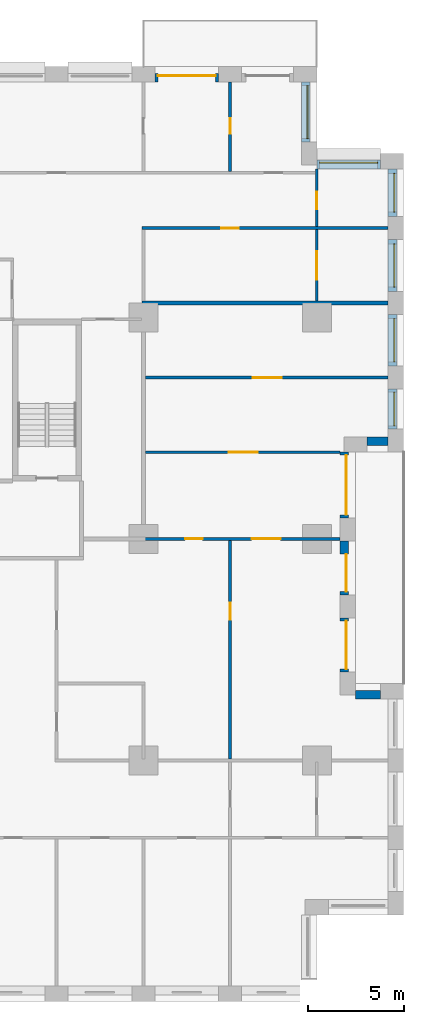
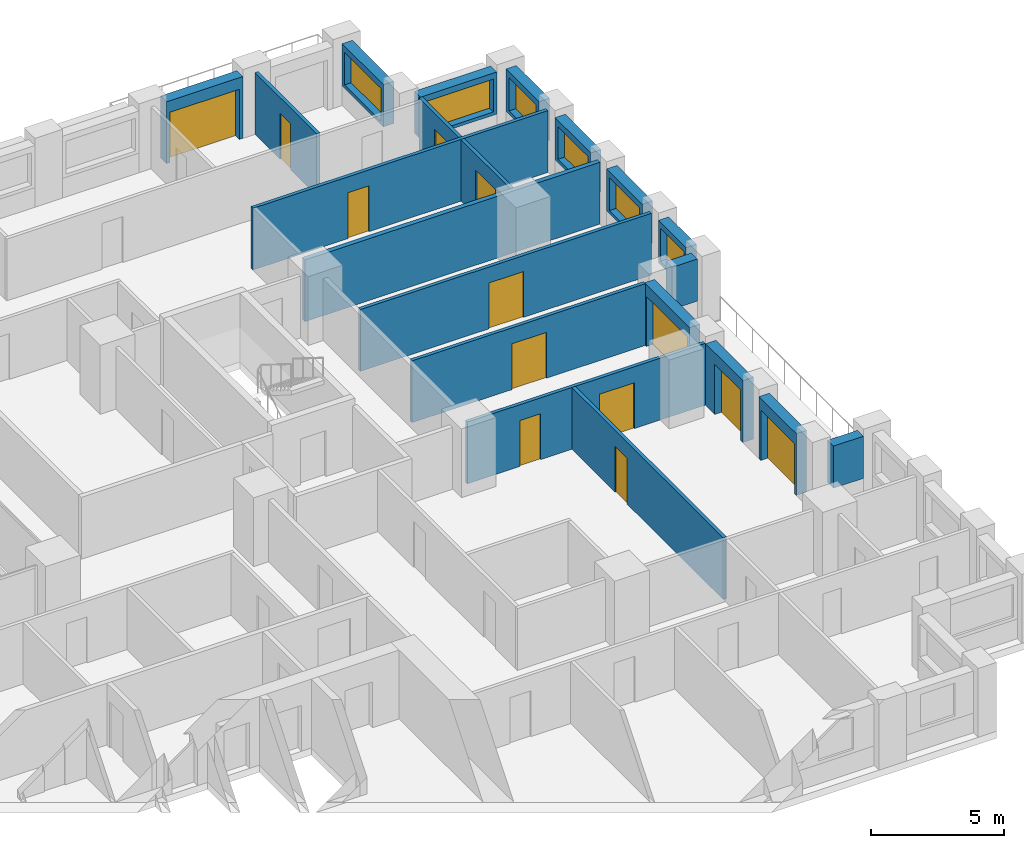
# One storey, part 17 of 20: 21 walls, 13 doors, 6 windows, 19 openings.
"""IFC4 building model written with IfcOpenShell, lengths in metres."""

from ifc_helpers import new_model, si_unit, direction, frame, frame_2d, origin, place, context, subcontext, project, spatial, rectangle, extrude, material, layer, layer_set, type_object, element, fill, save


model = new_model("IFC4")

# Units and contexts
model_context = context("Model", 3, precision=1e-05, world=origin(), true_north=direction((0.0, 1.0)))
body_context = subcontext(model_context, "Body", "Model", "MODEL_VIEW")
ifc_project = project(units=[si_unit("LENGTHUNIT", "METRE"), si_unit("AREAUNIT", "SQUARE_METRE"), si_unit("VOLUMEUNIT", "CUBIC_METRE"), si_unit("PLANEANGLEUNIT", "RADIAN"), si_unit("MASSUNIT", "GRAM", prefix="KILO")], contexts=[model_context])

# Site, building, storey
site_placement = place(None, origin())
site = spatial("IfcSite", under=ifc_project, at=site_placement, CompositionType="ELEMENT")
building_placement = place(site_placement, origin())
building = spatial("IfcBuilding", under=site, at=building_placement, Name="Brigalow Station Residences", CompositionType="ELEMENT")
storey_placement = place(building_placement, frame((0.0, 0.0, 63.60009765625)))
storey = spatial("IfcBuildingStorey", under=building, at=storey_placement, Name="L18", CompositionType="ELEMENT", Elevation=63.60009765625)

# Wall
ifc_material_1 = material(Name="Clay brick masonry", Category="masonry")
ifc_layer_1 = layer(ifc_material_1, 0.449951171875)
ifc_layer_set_1 = layer_set([ifc_layer_1], Name="BRICK INFILL WALL 450")
wall_type_1 = type_object("IfcWallType", Name="BRICK INFILL WALL 450", PredefinedType="SOLIDWALL", material=ifc_layer_set_1)
wall_1_placement = place(storey_placement, frame((75.300048828125, 15.925048828125, 0.89990234375), z_axis=(0.0, 0.0, 1.0), x_axis=(-1.0, 0.0, 0.0)))
element("IfcWall", 1, at=wall_1_placement, inside=storey, type_object=wall_type_1, Name="L18/ewall/W-L18-14", PredefinedType="SOLIDWALL", context=body_context, shape_type="SweptSolid", body=[
    extrude(rectangle(XDim=1.300048828125, YDim=0.449951171875, at=frame_2d((0.64990234375, 0.0))), origin(), (0.0, 0.0, 1.0), 1.929931640625),
])

# Wall, opening, door
wall_2_placement = place(storey_placement, frame((73.425048828125, 17.10009765625, 0.0), z_axis=(0.0, 0.0, 1.0), x_axis=(0.0, 1.0, 0.0)))
wall_2 = element("IfcWall", 2, at=wall_2_placement, inside=storey, type_object=wall_type_1, Name="L18/ewall/W-L18-15", PredefinedType="SOLIDWALL", context=body_context, shape_type="SweptSolid", body=[
    extrude(rectangle(XDim=2.7998046875, YDim=0.449951171875, at=frame_2d((1.39990234375, 0.0))), origin(), (0.0, 0.0, 1.0), 2.829833984375),
])
opening_1_placement = place(wall_2_placement, frame((0.14990234375, 0.0, 0.0)))
opening_1 = element("IfcOpeningElement", 3, at=opening_1_placement, cuts=wall_2, Name="Opening D-B2500", PredefinedType="OPENING", context=body_context, shape_type="SweptSolid", body=[
    extrude(rectangle(XDim=2.5, YDim=2.300048828125, at=frame_2d((1.25, 1.14990234375))), frame((0.0, 0.23486328125, 0.0), z_axis=(0.0, -1.0, 0.0), x_axis=(1.0, 0.0, 0.0)), (0.0, 0.0, 1.0), 0.469970703125),
])
ifc_material_2 = material(Name="Anodised aluminium frame with double glazing", Category="aluminium")
door_type_1 = type_object("IfcDoorType", Name="BALCONY SLIDING DOOR 2500x2300", OperationType="SLIDING_TO_LEFT", PredefinedType="DOOR", material=ifc_material_2)
door_1_placement = place(opening_1_placement, origin())
door_1 = element("IfcDoor", 4, at=door_1_placement, inside=storey, type_object=door_type_1, Name="L18/balcony-door/W-L18-15", OperationType="SLIDING_TO_LEFT", OverallHeight=2.300048828125, OverallWidth=2.5, PredefinedType="DOOR", context=body_context, shape_type="SweptSolid", body=[
    extrude(rectangle(XDim=2.5, YDim=2.300048828125, at=frame_2d((1.25, 1.14990234375))), frame((0.0, -0.06982421875, 0.0), z_axis=(0.0, -1.0, 0.0), x_axis=(1.0, 0.0, 0.0)), (0.0, 0.0, 1.0), 0.050048828125),
])
fill(opening_1, door_1)

wall_3_placement = place(storey_placement, frame((73.425048828125, 21.10009765625, 0.0), z_axis=(0.0, 0.0, 1.0), x_axis=(0.0, 1.0, 0.0)))
wall_3 = element("IfcWall", 5, at=wall_3_placement, inside=storey, type_object=wall_type_1, Name="L18/ewall/W-L18-16", PredefinedType="SOLIDWALL", context=body_context, shape_type="SweptSolid", body=[
    extrude(rectangle(XDim=2.7998046875, YDim=0.449951171875, at=frame_2d((1.39990234375, 0.0))), origin(), (0.0, 0.0, 1.0), 2.829833984375),
])
opening_2_placement = place(wall_3_placement, frame((0.1650390625, 0.0, 0.0)))
opening_2 = element("IfcOpeningElement", 6, at=opening_2_placement, cuts=wall_3, Name="Opening D-B1950", PredefinedType="OPENING", context=body_context, shape_type="SweptSolid", body=[
    extrude(rectangle(XDim=1.949951171875, YDim=2.300048828125, at=frame_2d((0.97509765625, 1.14990234375))), frame((0.0, 0.23486328125, 0.0), z_axis=(0.0, -1.0, 0.0), x_axis=(1.0, 0.0, 0.0)), (0.0, 0.0, 1.0), 0.469970703125),
])
ifc_material_3 = material(Name="Anodised aluminium frame with double glazing", Category="aluminium")
door_type_2 = type_object("IfcDoorType", Name="BALCONY SLIDING DOOR 1950x2300", OperationType="SLIDING_TO_LEFT", PredefinedType="DOOR", material=ifc_material_3)
door_2_placement = place(opening_2_placement, origin())
door_2 = element("IfcDoor", 7, at=door_2_placement, inside=storey, type_object=door_type_2, Name="L18/balcony-door/W-L18-16", OperationType="SLIDING_TO_LEFT", OverallHeight=2.300048828125, OverallWidth=1.949951171875, PredefinedType="DOOR", context=body_context, shape_type="SweptSolid", body=[
    extrude(rectangle(XDim=1.949951171875, YDim=2.300048828125, at=frame_2d((0.97509765625, 1.14990234375))), frame((0.0, -0.06982421875, 0.0), z_axis=(0.0, -1.0, 0.0), x_axis=(1.0, 0.0, 0.0)), (0.0, 0.0, 1.0), 0.050048828125),
])
fill(opening_2, door_2)

wall_4_placement = place(storey_placement, frame((73.425048828125, 25.10009765625, 0.0), z_axis=(0.0, 0.0, 1.0), x_axis=(0.0, 1.0, 0.0)))
wall_4 = element("IfcWall", 8, at=wall_4_placement, inside=storey, type_object=wall_type_1, Name="L18/ewall/W-L18-17", PredefinedType="SOLIDWALL", context=body_context, shape_type="SweptSolid", body=[
    extrude(rectangle(XDim=3.39990234375, YDim=0.449951171875, at=frame_2d((1.699951171875, 0.0))), origin(), (0.0, 0.0, 1.0), 2.829833984375),
])
opening_3_placement = place(wall_4_placement, frame((0.14990234375, 0.0, 0.0)))
opening_3 = element("IfcOpeningElement", 9, at=opening_3_placement, cuts=wall_4, Name="Opening D-B3100", PredefinedType="OPENING", context=body_context, shape_type="SweptSolid", body=[
    extrude(rectangle(XDim=3.10009765625, YDim=2.300048828125, at=frame_2d((1.550048828125, 1.14990234375))), frame((0.0, 0.23486328125, 0.0), z_axis=(0.0, -1.0, 0.0), x_axis=(1.0, 0.0, 0.0)), (0.0, 0.0, 1.0), 0.469970703125),
])
ifc_material_4 = material(Name="Anodised aluminium frame with double glazing", Category="aluminium")
door_type_3 = type_object("IfcDoorType", Name="BALCONY SLIDING DOOR 3100x2300", OperationType="SLIDING_TO_LEFT", PredefinedType="DOOR", material=ifc_material_4)
door_3_placement = place(opening_3_placement, origin())
door_3 = element("IfcDoor", 10, at=door_3_placement, inside=storey, type_object=door_type_3, Name="L18/balcony-door/W-L18-17", OperationType="SLIDING_TO_LEFT", OverallHeight=2.300048828125, OverallWidth=3.10009765625, PredefinedType="DOOR", context=body_context, shape_type="SweptSolid", body=[
    extrude(rectangle(XDim=3.10009765625, YDim=2.300048828125, at=frame_2d((1.550048828125, 1.14990234375))), frame((0.0, -0.06982421875, 0.0), z_axis=(0.0, -1.0, 0.0), x_axis=(1.0, 0.0, 0.0)), (0.0, 0.0, 1.0), 0.050048828125),
])
fill(opening_3, door_3)

# Wall
wall_5_placement = place(storey_placement, frame((74.60009765625, 29.074951171875, 0.89990234375), z_axis=(0.0, 0.0, 1.0), x_axis=(1.0, 0.0, 0.0)))
element("IfcWall", 11, at=wall_5_placement, inside=storey, type_object=wall_type_1, Name="L18/ewall/W-L18-18", PredefinedType="SOLIDWALL", context=body_context, shape_type="SweptSolid", body=[
    extrude(rectangle(XDim=1.099853515625, YDim=0.449951171875, at=frame_2d((0.5498046875, 0.0))), origin(), (0.0, 0.0, 1.0), 1.929931640625),
])

# Wall, opening, window
wall_6_placement = place(storey_placement, frame((75.925048828125, 29.699951171875, 0.89990234375), z_axis=(0.0, 0.0, 1.0), x_axis=(0.0, 1.0, 0.0)))
wall_6 = element("IfcWall", 12, at=wall_6_placement, inside=storey, type_object=wall_type_1, Name="L18/ewall/W-L18-19", PredefinedType="SOLIDWALL", context=body_context, shape_type="SweptSolid", body=[
    extrude(rectangle(XDim=2.074951171875, YDim=0.449951171875, at=frame_2d((1.03759765625, 0.0))), origin(), (0.0, 0.0, 1.0), 1.929931640625),
])
opening_4_placement = place(wall_6_placement, frame((0.16259765625, 0.0, 0.14990234375)))
opening_4 = element("IfcOpeningElement", 13, at=opening_4_placement, cuts=wall_6, Name="Opening WT-4", PredefinedType="OPENING", context=body_context, shape_type="SweptSolid", body=[
    extrude(rectangle(XDim=1.75, YDim=1.5, at=frame_2d((0.875, 0.75))), frame((0.0, 0.23486328125, 0.0), z_axis=(0.0, -1.0, 0.0), x_axis=(1.0, 0.0, 0.0)), (0.0, 0.0, 1.0), 0.469970703125),
])
ifc_material_5 = material(Name="Anodised aluminium frame with double glazing", Category="aluminium")
window_type_1 = type_object("IfcWindowType", Name="WINDOW 1750x1500", PartitioningType="SINGLE_PANEL", PredefinedType="WINDOW", material=ifc_material_5)
window_1_placement = place(opening_4_placement, origin())
window_1 = element("IfcWindow", 14, at=window_1_placement, inside=storey, type_object=window_type_1, Name="L18/window/W-L18-19", OverallHeight=1.5, OverallWidth=1.75, PartitioningType="SINGLE_PANEL", PredefinedType="WINDOW", context=body_context, shape_type="SweptSolid", body=[
    extrude(rectangle(XDim=1.75, YDim=1.5, at=frame_2d((0.875, 0.75))), frame((0.0, -0.06494140625, 0.0), z_axis=(0.0, -1.0, 0.0), x_axis=(1.0, 0.0, 0.0)), (0.0, 0.0, 1.0), 0.06005859375),
])
fill(opening_4, window_1)

wall_7_placement = place(storey_placement, frame((75.925048828125, 32.97509765625, 0.89990234375), z_axis=(0.0, 0.0, 1.0), x_axis=(0.0, 1.0, 0.0)))
wall_7 = element("IfcWall", 15, at=wall_7_placement, inside=storey, type_object=wall_type_1, Name="L18/ewall/W-L18-20", PredefinedType="SOLIDWALL", context=body_context, shape_type="SweptSolid", body=[
    extrude(rectangle(XDim=2.6748046875, YDim=0.449951171875, at=frame_2d((1.33740234375, 0.0))), origin(), (0.0, 0.0, 1.0), 1.929931640625),
])
opening_5_placement = place(wall_7_placement, frame((0.21240234375, 0.0, 0.14990234375)))
opening_5 = element("IfcOpeningElement", 16, at=opening_5_placement, cuts=wall_7, Name="Opening WT-6", PredefinedType="OPENING", context=body_context, shape_type="SweptSolid", body=[
    extrude(rectangle(XDim=2.25, YDim=1.5, at=frame_2d((1.125, 0.75))), frame((0.0, 0.23486328125, 0.0), z_axis=(0.0, -1.0, 0.0), x_axis=(1.0, 0.0, 0.0)), (0.0, 0.0, 1.0), 0.469970703125),
])
ifc_material_6 = material(Name="Anodised aluminium frame with double glazing", Category="aluminium")
window_type_2 = type_object("IfcWindowType", Name="WINDOW 2250x1500", PartitioningType="SINGLE_PANEL", PredefinedType="WINDOW", material=ifc_material_6)
window_2_placement = place(opening_5_placement, origin())
window_2 = element("IfcWindow", 17, at=window_2_placement, inside=storey, type_object=window_type_2, Name="L18/window/W-L18-20", OverallHeight=1.5, OverallWidth=2.25, PartitioningType="SINGLE_PANEL", PredefinedType="WINDOW", context=body_context, shape_type="SweptSolid", body=[
    extrude(rectangle(XDim=2.25, YDim=1.5, at=frame_2d((1.125, 0.75))), frame((0.0, -0.06494140625, 0.0), z_axis=(0.0, -1.0, 0.0), x_axis=(1.0, 0.0, 0.0)), (0.0, 0.0, 1.0), 0.06005859375),
])
fill(opening_5, window_2)

wall_8_placement = place(storey_placement, frame((75.925048828125, 36.85009765625, 0.89990234375), z_axis=(0.0, 0.0, 1.0), x_axis=(0.0, 1.0, 0.0)))
wall_8 = element("IfcWall", 18, at=wall_8_placement, inside=storey, type_object=wall_type_1, Name="L18/ewall/W-L18-21", PredefinedType="SOLIDWALL", context=body_context, shape_type="SweptSolid", body=[
    extrude(rectangle(XDim=2.6748046875, YDim=0.449951171875, at=frame_2d((1.33740234375, 0.0))), origin(), (0.0, 0.0, 1.0), 1.929931640625),
])
opening_6_placement = place(wall_8_placement, frame((0.21240234375, 0.0, 0.14990234375)))
opening_6 = element("IfcOpeningElement", 19, at=opening_6_placement, cuts=wall_8, Name="Opening WT-6", PredefinedType="OPENING", context=body_context, shape_type="SweptSolid", body=[
    extrude(rectangle(XDim=2.25, YDim=1.5, at=frame_2d((1.125, 0.75))), frame((0.0, 0.23486328125, 0.0), z_axis=(0.0, -1.0, 0.0), x_axis=(1.0, 0.0, 0.0)), (0.0, 0.0, 1.0), 0.469970703125),
])
window_3_placement = place(opening_6_placement, origin())
window_3 = element("IfcWindow", 20, at=window_3_placement, inside=storey, type_object=window_type_2, Name="L18/window/W-L18-21", OverallHeight=1.5, OverallWidth=2.25, PartitioningType="SINGLE_PANEL", PredefinedType="WINDOW", context=body_context, shape_type="SweptSolid", body=[
    extrude(rectangle(XDim=2.25, YDim=1.5, at=frame_2d((1.125, 0.75))), frame((0.0, -0.06494140625, 0.0), z_axis=(0.0, -1.0, 0.0), x_axis=(1.0, 0.0, 0.0)), (0.0, 0.0, 1.0), 0.06005859375),
])
fill(opening_6, window_3)

wall_9_placement = place(storey_placement, frame((75.925048828125, 40.72509765625, 0.89990234375), z_axis=(0.0, 0.0, 1.0), x_axis=(0.0, 1.0, 0.0)))
wall_9 = element("IfcWall", 21, at=wall_9_placement, inside=storey, type_object=wall_type_1, Name="L18/ewall/W-L18-22", PredefinedType="SOLIDWALL", context=body_context, shape_type="SweptSolid", body=[
    extrude(rectangle(XDim=2.474853515625, YDim=0.449951171875, at=frame_2d((1.2373046875, 0.0))), origin(), (0.0, 0.0, 1.0), 1.929931640625),
])
opening_7_placement = place(wall_9_placement, frame((0.237548828125, 0.0, 0.14990234375)))
opening_7 = element("IfcOpeningElement", 22, at=opening_7_placement, cuts=wall_9, Name="Opening WT-7", PredefinedType="OPENING", context=body_context, shape_type="SweptSolid", body=[
    extrude(rectangle(XDim=2.0, YDim=1.5, at=frame_2d((1.0, 0.75))), frame((0.0, 0.23486328125, 0.0), z_axis=(0.0, -1.0, 0.0), x_axis=(1.0, 0.0, 0.0)), (0.0, 0.0, 1.0), 0.469970703125),
])
ifc_material_7 = material(Name="Anodised aluminium frame with double glazing", Category="aluminium")
window_type_3 = type_object("IfcWindowType", Name="WINDOW 2000x1500", PartitioningType="SINGLE_PANEL", PredefinedType="WINDOW", material=ifc_material_7)
window_4_placement = place(opening_7_placement, origin())
window_4 = element("IfcWindow", 23, at=window_4_placement, inside=storey, type_object=window_type_3, Name="L18/window/W-L18-22", OverallHeight=1.5, OverallWidth=2.0, PartitioningType="SINGLE_PANEL", PredefinedType="WINDOW", context=body_context, shape_type="SweptSolid", body=[
    extrude(rectangle(XDim=2.0, YDim=1.5, at=frame_2d((1.0, 0.75))), frame((0.0, -0.06494140625, 0.0), z_axis=(0.0, -1.0, 0.0), x_axis=(1.0, 0.0, 0.0)), (0.0, 0.0, 1.0), 0.06005859375),
])
fill(opening_7, window_4)

wall_10_placement = place(storey_placement, frame((75.300048828125, 43.425048828125, 0.89990234375), z_axis=(0.0, 0.0, 1.0), x_axis=(-1.0, 0.0, 0.0)))
wall_10 = element("IfcWall", 24, at=wall_10_placement, inside=storey, type_object=wall_type_1, Name="L18/ewall/W-L18-23", PredefinedType="SOLIDWALL", context=body_context, shape_type="SweptSolid", body=[
    extrude(rectangle(XDim=3.300048828125, YDim=0.449951171875, at=frame_2d((1.64990234375, 0.0))), origin(), (0.0, 0.0, 1.0), 1.929931640625),
])
opening_8_placement = place(wall_10_placement, frame((0.14990234375, 0.0, 0.14990234375)))
opening_8 = element("IfcOpeningElement", 25, at=opening_8_placement, cuts=wall_10, Name="Opening WT-2", PredefinedType="OPENING", context=body_context, shape_type="SweptSolid", body=[
    extrude(rectangle(XDim=3.0, YDim=1.5, at=frame_2d((1.5, 0.75))), frame((0.0, 0.23486328125, 0.0), z_axis=(0.0, -1.0, 0.0), x_axis=(1.0, 0.0, 0.0)), (0.0, 0.0, 1.0), 0.469970703125),
])
ifc_material_8 = material(Name="Anodised aluminium frame with double glazing", Category="aluminium")
window_type_4 = type_object("IfcWindowType", Name="WINDOW 3000x1500", PartitioningType="SINGLE_PANEL", PredefinedType="WINDOW", material=ifc_material_8)
window_5_placement = place(opening_8_placement, origin())
window_5 = element("IfcWindow", 26, at=window_5_placement, inside=storey, type_object=window_type_4, Name="L18/window/W-L18-23", OverallHeight=1.5, OverallWidth=3.0, PartitioningType="SINGLE_PANEL", PredefinedType="WINDOW", context=body_context, shape_type="SweptSolid", body=[
    extrude(rectangle(XDim=3.0, YDim=1.5, at=frame_2d((1.5, 0.75))), frame((0.0, -0.06494140625, 0.0), z_axis=(0.0, -1.0, 0.0), x_axis=(1.0, 0.0, 0.0)), (0.0, 0.0, 1.0), 0.06005859375),
])
fill(opening_8, window_5)

wall_11_placement = place(storey_placement, frame((71.425048828125, 44.60009765625, 0.89990234375), z_axis=(0.0, 0.0, 1.0), x_axis=(0.0, 1.0, 0.0)))
wall_11 = element("IfcWall", 27, at=wall_11_placement, inside=storey, type_object=wall_type_1, Name="L18/ewall/W-L18-24", PredefinedType="SOLIDWALL", context=body_context, shape_type="SweptSolid", body=[
    extrude(rectangle(XDim=3.099853515625, YDim=0.449951171875, at=frame_2d((1.5498046875, 0.0))), origin(), (0.0, 0.0, 1.0), 1.929931640625),
])
opening_9_placement = place(wall_11_placement, frame((0.175048828125, 0.0, 0.14990234375)))
opening_9 = element("IfcOpeningElement", 28, at=opening_9_placement, cuts=wall_11, Name="Opening WT-3", PredefinedType="OPENING", context=body_context, shape_type="SweptSolid", body=[
    extrude(rectangle(XDim=2.75, YDim=1.5, at=frame_2d((1.375, 0.75))), frame((0.0, 0.23486328125, 0.0), z_axis=(0.0, -1.0, 0.0), x_axis=(1.0, 0.0, 0.0)), (0.0, 0.0, 1.0), 0.469970703125),
])
ifc_material_9 = material(Name="Anodised aluminium frame with double glazing", Category="aluminium")
window_type_5 = type_object("IfcWindowType", Name="WINDOW 2750x1500", PartitioningType="SINGLE_PANEL", PredefinedType="WINDOW", material=ifc_material_9)
window_6_placement = place(opening_9_placement, origin())
window_6 = element("IfcWindow", 29, at=window_6_placement, inside=storey, type_object=window_type_5, Name="L18/window/W-L18-24", OverallHeight=1.5, OverallWidth=2.75, PartitioningType="SINGLE_PANEL", PredefinedType="WINDOW", context=body_context, shape_type="SweptSolid", body=[
    extrude(rectangle(XDim=2.75, YDim=1.5, at=frame_2d((1.375, 0.75))), frame((0.0, -0.06494140625, 0.0), z_axis=(0.0, -1.0, 0.0), x_axis=(1.0, 0.0, 0.0)), (0.0, 0.0, 1.0), 0.06005859375),
])
fill(opening_9, window_6)

# Wall, opening, door
wall_12_placement = place(storey_placement, frame((66.89990234375, 47.925048828125, 0.0), z_axis=(0.0, 0.0, 1.0), x_axis=(-1.0, 0.0, 0.0)))
wall_12 = element("IfcWall", 30, at=wall_12_placement, inside=storey, type_object=wall_type_1, Name="L18/ewall/W-L18-26", PredefinedType="SOLIDWALL", context=body_context, shape_type="SweptSolid", body=[
    extrude(rectangle(XDim=3.2998046875, YDim=0.449951171875, at=frame_2d((1.64990234375, 0.0))), origin(), (0.0, 0.0, 1.0), 2.829833984375),
])
opening_10_placement = place(wall_12_placement, frame((0.14990234375, 0.0, 0.0)))
opening_10 = element("IfcOpeningElement", 31, at=opening_10_placement, cuts=wall_12, Name="Opening D-B3000", PredefinedType="OPENING", context=body_context, shape_type="SweptSolid", body=[
    extrude(rectangle(XDim=3.0, YDim=2.300048828125, at=frame_2d((1.5, 1.14990234375))), frame((0.0, 0.23486328125, 0.0), z_axis=(0.0, -1.0, 0.0), x_axis=(1.0, 0.0, 0.0)), (0.0, 0.0, 1.0), 0.469970703125),
])
ifc_material_10 = material(Name="Anodised aluminium frame with double glazing", Category="aluminium")
door_type_4 = type_object("IfcDoorType", Name="BALCONY SLIDING DOOR 3000x2300", OperationType="SLIDING_TO_LEFT", PredefinedType="DOOR", material=ifc_material_10)
door_4_placement = place(opening_10_placement, origin())
door_4 = element("IfcDoor", 32, at=door_4_placement, inside=storey, type_object=door_type_4, Name="L18/balcony-door/W-L18-26", OperationType="SLIDING_TO_LEFT", OverallHeight=2.300048828125, OverallWidth=3.0, PredefinedType="DOOR", context=body_context, shape_type="SweptSolid", body=[
    extrude(rectangle(XDim=3.0, YDim=2.300048828125, at=frame_2d((1.5, 1.14990234375))), frame((0.0, -0.06982421875, 0.0), z_axis=(0.0, -1.0, 0.0), x_axis=(1.0, 0.0, 0.0)), (0.0, 0.0, 1.0), 0.050048828125),
])
fill(opening_10, door_4)

# Wall, openings, doors
ifc_material_11 = material(Name="Plasterboard on steel stud partition", Category="steel")
ifc_layer_2 = layer(ifc_material_11, 0.14990234375)
ifc_layer_set_2 = layer_set([ifc_layer_2], Name="FLAT PARTITION 150")
wall_type_2 = type_object("IfcWallType", Name="FLAT PARTITION 150", PredefinedType="PARTITIONING", material=ifc_layer_set_2)
wall_13_placement = place(storey_placement, frame((62.89990234375, 24.0, 0.0), z_axis=(0.0, 0.0, 1.0), x_axis=(1.0, 0.0, 0.0)))
wall_13 = element("IfcWall", 33, at=wall_13_placement, inside=storey, type_object=wall_type_2, Name="PW-1F03", PredefinedType="PARTITIONING", context=body_context, shape_type="SweptSolid", body=[
    extrude(rectangle(XDim=10.300048828125, YDim=0.14990234375, at=frame_2d((5.14990234375, 0.0))), origin(), (0.0, 0.0, 1.0), 2.829833984375),
])
opening_11_placement = place(wall_13_placement, frame((2.27490234375, 0.0, 0.0)))
opening_11 = element("IfcOpeningElement", 34, at=opening_11_placement, cuts=wall_13, Name="Opening D-1F57", PredefinedType="OPENING", context=body_context, shape_type="SweptSolid", body=[
    extrude(rectangle(XDim=0.89990234375, YDim=2.10009765625, at=frame_2d((0.449951171875, 1.050048828125))), frame((0.0, 0.0849609375, 0.0), z_axis=(0.0, -1.0, 0.0), x_axis=(1.0, 0.0, 0.0)), (0.0, 0.0, 1.0), 0.169921875),
])
opening_12_placement = place(wall_13_placement, frame((5.72509765625, 0.0, 0.0)))
opening_12 = element("IfcOpeningElement", 35, at=opening_12_placement, cuts=wall_13, Name="Opening D-1F58", PredefinedType="OPENING", context=body_context, shape_type="SweptSolid", body=[
    extrude(rectangle(XDim=1.5, YDim=2.10009765625, at=frame_2d((0.75, 1.050048828125))), frame((0.0, 0.0849609375, 0.0), z_axis=(0.0, -1.0, 0.0), x_axis=(1.0, 0.0, 0.0)), (0.0, 0.0, 1.0), 0.169921875),
])
ifc_material_12 = material(Name="Solid-core timber door leaf", Category="wood")
door_type_5 = type_object("IfcDoorType", Name="INTERNAL DOOR 900 x 2100", OperationType="SINGLE_SWING_LEFT", PredefinedType="DOOR", material=ifc_material_12)
door_5_placement = place(opening_11_placement, origin())
door_5 = element("IfcDoor", 36, at=door_5_placement, inside=storey, type_object=door_type_5, Name="D-1F57", OperationType="SINGLE_SWING_LEFT", OverallHeight=2.10009765625, OverallWidth=0.89990234375, PredefinedType="DOOR", context=body_context, shape_type="SweptSolid", body=[
    extrude(rectangle(XDim=0.89990234375, YDim=2.10009765625, at=frame_2d((0.449951171875, 1.050048828125))), frame((0.0, 0.02490234375, 0.0), z_axis=(0.0, -1.0, 0.0), x_axis=(1.0, 0.0, 0.0)), (0.0, 0.0, 1.0), 0.050048828125),
])
fill(opening_11, door_5)
ifc_material_13 = material(Name="Solid-core timber door leaf", Category="wood")
door_type_6 = type_object("IfcDoorType", Name="INTERNAL DOUBLE DOOR 1500 x 2100", OperationType="DOUBLE_DOOR_SINGLE_SWING", PredefinedType="DOOR", material=ifc_material_13)
door_6_placement = place(opening_12_placement, origin())
door_6 = element("IfcDoor", 37, at=door_6_placement, inside=storey, type_object=door_type_6, Name="D-1F58", OperationType="DOUBLE_DOOR_SINGLE_SWING", OverallHeight=2.10009765625, OverallWidth=1.5, PredefinedType="DOOR", context=body_context, shape_type="SweptSolid", body=[
    extrude(rectangle(XDim=1.5, YDim=2.10009765625, at=frame_2d((0.75, 1.050048828125))), frame((0.0, 0.02490234375, 0.0), z_axis=(0.0, -1.0, 0.0), x_axis=(1.0, 0.0, 0.0)), (0.0, 0.0, 1.0), 0.050048828125),
])
fill(opening_12, door_6)

# Wall, opening, door
wall_14_placement = place(storey_placement, frame((63.10009765625, 32.375, 0.0), z_axis=(0.0, 0.0, 1.0), x_axis=(1.0, 0.0, 0.0)))
wall_14 = element("IfcWall", 38, at=wall_14_placement, inside=storey, type_object=wall_type_2, Name="PW-1F19", PredefinedType="PARTITIONING", context=body_context, shape_type="SweptSolid", body=[
    extrude(rectangle(XDim=12.599853515625, YDim=0.14990234375, at=frame_2d((6.2998046875, 0.0))), origin(), (0.0, 0.0, 1.0), 2.829833984375),
])
opening_13_placement = place(wall_14_placement, frame((5.574951171875, 0.0, 0.0)))
opening_13 = element("IfcOpeningElement", 39, at=opening_13_placement, cuts=wall_14, Name="Opening D-1F61", PredefinedType="OPENING", context=body_context, shape_type="SweptSolid", body=[
    extrude(rectangle(XDim=1.5, YDim=2.10009765625, at=frame_2d((0.75, 1.050048828125))), frame((0.0, 0.0849609375, 0.0), z_axis=(0.0, -1.0, 0.0), x_axis=(1.0, 0.0, 0.0)), (0.0, 0.0, 1.0), 0.169921875),
])
door_7_placement = place(opening_13_placement, frame((1.5, 0.0, 0.0), z_axis=(0.0, 0.0, 1.0), x_axis=(-1.0, 0.0, 0.0)))
door_7 = element("IfcDoor", 40, at=door_7_placement, inside=storey, type_object=door_type_6, Name="D-1F61", OperationType="DOUBLE_DOOR_SINGLE_SWING", OverallHeight=2.10009765625, OverallWidth=1.5, PredefinedType="DOOR", context=body_context, shape_type="SweptSolid", body=[
    extrude(rectangle(XDim=1.5, YDim=2.10009765625, at=frame_2d((0.75, 1.050048828125))), frame((0.0, 0.02490234375, 0.0), z_axis=(0.0, -1.0, 0.0), x_axis=(1.0, 0.0, 0.0)), (0.0, 0.0, 1.0), 0.050048828125),
])
fill(opening_13, door_7)

wall_15_placement = place(storey_placement, frame((62.925048828125, 40.125, 0.0), z_axis=(0.0, 0.0, 1.0), x_axis=(1.0, 0.0, 0.0)))
wall_15 = element("IfcWall", 41, at=wall_15_placement, inside=storey, type_object=wall_type_2, Name="PW-1F31", PredefinedType="PARTITIONING", context=body_context, shape_type="SweptSolid", body=[
    extrude(rectangle(XDim=12.77490234375, YDim=0.14990234375, at=frame_2d((6.387451171875, 0.0))), origin(), (0.0, 0.0, 1.0), 2.829833984375),
])
opening_14_placement = place(wall_15_placement, frame((4.125, 0.0, 0.0)))
opening_14 = element("IfcOpeningElement", 42, at=opening_14_placement, cuts=wall_15, Name="Opening D-1F45", PredefinedType="OPENING", context=body_context, shape_type="SweptSolid", body=[
    extrude(rectangle(XDim=0.89990234375, YDim=2.10009765625, at=frame_2d((0.449951171875, 1.050048828125))), frame((0.0, 0.0849609375, 0.0), z_axis=(0.0, -1.0, 0.0), x_axis=(1.0, 0.0, 0.0)), (0.0, 0.0, 1.0), 0.169921875),
])
door_8_placement = place(opening_14_placement, frame((0.89990234375, 0.0, 0.0), z_axis=(0.0, 0.0, 1.0), x_axis=(-1.0, 0.0, 0.0)))
door_8 = element("IfcDoor", 43, at=door_8_placement, inside=storey, type_object=door_type_5, Name="D-1F45", OperationType="SINGLE_SWING_RIGHT", OverallHeight=2.10009765625, OverallWidth=0.89990234375, PredefinedType="DOOR", context=body_context, shape_type="SweptSolid", body=[
    extrude(rectangle(XDim=0.89990234375, YDim=2.10009765625, at=frame_2d((0.449951171875, 1.050048828125))), frame((0.0, 0.02490234375, 0.0), z_axis=(0.0, -1.0, 0.0), x_axis=(1.0, 0.0, 0.0)), (0.0, 0.0, 1.0), 0.050048828125),
])
fill(opening_14, door_8)

wall_16_placement = place(storey_placement, frame((63.10009765625, 28.5, 0.0), z_axis=(0.0, 0.0, 1.0), x_axis=(1.0, 0.0, 0.0)))
wall_16 = element("IfcWall", 44, at=wall_16_placement, inside=storey, type_object=wall_type_2, Name="PW-1F36", PredefinedType="PARTITIONING", context=body_context, shape_type="SweptSolid", body=[
    extrude(rectangle(XDim=10.099853515625, YDim=0.14990234375, at=frame_2d((5.0498046875, 0.0))), origin(), (0.0, 0.0, 1.0), 2.829833984375),
])
opening_15_placement = place(wall_16_placement, frame((4.324951171875, 0.0, 0.0)))
opening_15 = element("IfcOpeningElement", 45, at=opening_15_placement, cuts=wall_16, Name="Opening D-1F56", PredefinedType="OPENING", context=body_context, shape_type="SweptSolid", body=[
    extrude(rectangle(XDim=1.5, YDim=2.10009765625, at=frame_2d((0.75, 1.050048828125))), frame((0.0, 0.0849609375, 0.0), z_axis=(0.0, -1.0, 0.0), x_axis=(1.0, 0.0, 0.0)), (0.0, 0.0, 1.0), 0.169921875),
])
door_9_placement = place(opening_15_placement, frame((1.5, 0.0, 0.0), z_axis=(0.0, 0.0, 1.0), x_axis=(-1.0, 0.0, 0.0)))
door_9 = element("IfcDoor", 46, at=door_9_placement, inside=storey, type_object=door_type_6, Name="D-1F56", OperationType="DOUBLE_DOOR_SINGLE_SWING", OverallHeight=2.10009765625, OverallWidth=1.5, PredefinedType="DOOR", context=body_context, shape_type="SweptSolid", body=[
    extrude(rectangle(XDim=1.5, YDim=2.10009765625, at=frame_2d((0.75, 1.050048828125))), frame((0.0, 0.02490234375, 0.0), z_axis=(0.0, -1.0, 0.0), x_axis=(1.0, 0.0, 0.0)), (0.0, 0.0, 1.0), 0.050048828125),
])
fill(opening_15, door_9)

wall_17_placement = place(storey_placement, frame((72.0, 36.35009765625, 0.0), z_axis=(0.0, 0.0, 1.0), x_axis=(0.0, 1.0, 0.0)))
wall_17 = element("IfcWall", 47, at=wall_17_placement, inside=storey, type_object=wall_type_2, Name="PW-1F76", PredefinedType="PARTITIONING", context=body_context, shape_type="SweptSolid", body=[
    extrude(rectangle(XDim=3.699951171875, YDim=0.14990234375, at=frame_2d((1.85009765625, 0.0))), origin(), (0.0, 0.0, 1.0), 2.829833984375),
])
opening_16_placement = place(wall_17_placement, frame((1.087890625, 0.0, 0.0)))
opening_16 = element("IfcOpeningElement", 48, at=opening_16_placement, cuts=wall_17, Name="Opening D-1F50", PredefinedType="OPENING", context=body_context, shape_type="SweptSolid", body=[
    extrude(rectangle(XDim=1.5, YDim=2.10009765625, at=frame_2d((0.75, 1.050048828125))), frame((0.0, 0.0849609375, 0.0), z_axis=(0.0, -1.0, 0.0), x_axis=(1.0, 0.0, 0.0)), (0.0, 0.0, 1.0), 0.169921875),
])
door_10_placement = place(opening_16_placement, frame((1.5, 0.0, 0.0), z_axis=(0.0, 0.0, 1.0), x_axis=(-1.0, 0.0, 0.0)))
door_10 = element("IfcDoor", 49, at=door_10_placement, inside=storey, type_object=door_type_6, Name="D-1F50", OperationType="DOUBLE_DOOR_SINGLE_SWING", OverallHeight=2.10009765625, OverallWidth=1.5, PredefinedType="DOOR", context=body_context, shape_type="SweptSolid", body=[
    extrude(rectangle(XDim=1.5, YDim=2.10009765625, at=frame_2d((0.75, 1.050048828125))), frame((0.0, 0.02490234375, 0.0), z_axis=(0.0, -1.0, 0.0), x_axis=(1.0, 0.0, 0.0)), (0.0, 0.0, 1.0), 0.050048828125),
])
fill(opening_16, door_10)

wall_18_placement = place(storey_placement, frame((72.0, 40.199951171875, 0.0), z_axis=(0.0, 0.0, 1.0), x_axis=(0.0, 1.0, 0.0)))
wall_18 = element("IfcWall", 50, at=wall_18_placement, inside=storey, type_object=wall_type_2, Name="PW-1F77", PredefinedType="PARTITIONING", context=body_context, shape_type="SweptSolid", body=[
    extrude(rectangle(XDim=3.0, YDim=0.14990234375, at=frame_2d((1.5, 0.0))), origin(), (0.0, 0.0, 1.0), 2.829833984375),
])
opening_17_placement = place(wall_18_placement, frame((0.912109375, 0.0, 0.0)))
opening_17 = element("IfcOpeningElement", 51, at=opening_17_placement, cuts=wall_18, Name="Opening D-1F46", PredefinedType="OPENING", context=body_context, shape_type="SweptSolid", body=[
    extrude(rectangle(XDim=0.89990234375, YDim=2.10009765625, at=frame_2d((0.449951171875, 1.050048828125))), frame((0.0, 0.0849609375, 0.0), z_axis=(0.0, -1.0, 0.0), x_axis=(1.0, 0.0, 0.0)), (0.0, 0.0, 1.0), 0.169921875),
])
door_11_placement = place(opening_17_placement, frame((0.89990234375, 0.0, 0.0), z_axis=(0.0, 0.0, 1.0), x_axis=(-1.0, 0.0, 0.0)))
door_11 = element("IfcDoor", 52, at=door_11_placement, inside=storey, type_object=door_type_5, Name="D-1F46", OperationType="SINGLE_SWING_RIGHT", OverallHeight=2.10009765625, OverallWidth=0.89990234375, PredefinedType="DOOR", context=body_context, shape_type="SweptSolid", body=[
    extrude(rectangle(XDim=0.89990234375, YDim=2.10009765625, at=frame_2d((0.449951171875, 1.050048828125))), frame((0.0, 0.02490234375, 0.0), z_axis=(0.0, -1.0, 0.0), x_axis=(1.0, 0.0, 0.0)), (0.0, 0.0, 1.0), 0.050048828125),
])
fill(opening_17, door_11)

wall_19_placement = place(storey_placement, frame((67.5, 12.574951171875, 0.0), z_axis=(0.0, 0.0, 1.0), x_axis=(0.0, 1.0, 0.0)))
wall_19 = element("IfcWall", 53, at=wall_19_placement, inside=storey, type_object=wall_type_2, Name="PW-1F81", PredefinedType="PARTITIONING", context=body_context, shape_type="SweptSolid", body=[
    extrude(rectangle(XDim=11.35009765625, YDim=0.14990234375, at=frame_2d((5.675048828125, 0.0))), origin(), (0.0, 0.0, 1.0), 2.829833984375),
])
opening_18_placement = place(wall_19_placement, frame((7.22509765625, 0.0, 0.0)))
opening_18 = element("IfcOpeningElement", 54, at=opening_18_placement, cuts=wall_19, Name="Opening D-1F64", PredefinedType="OPENING", context=body_context, shape_type="SweptSolid", body=[
    extrude(rectangle(XDim=0.89990234375, YDim=2.10009765625, at=frame_2d((0.449951171875, 1.050048828125))), frame((0.0, 0.0849609375, 0.0), z_axis=(0.0, -1.0, 0.0), x_axis=(1.0, 0.0, 0.0)), (0.0, 0.0, 1.0), 0.169921875),
])
door_12_placement = place(opening_18_placement, frame((0.89990234375, 0.0, 0.0), z_axis=(0.0, 0.0, 1.0), x_axis=(-1.0, 0.0, 0.0)))
door_12 = element("IfcDoor", 55, at=door_12_placement, inside=storey, type_object=door_type_5, Name="D-1F64", OperationType="SINGLE_SWING_LEFT", OverallHeight=2.10009765625, OverallWidth=0.89990234375, PredefinedType="DOOR", context=body_context, shape_type="SweptSolid", body=[
    extrude(rectangle(XDim=0.89990234375, YDim=2.10009765625, at=frame_2d((0.449951171875, 1.050048828125))), frame((0.0, 0.02490234375, 0.0), z_axis=(0.0, -1.0, 0.0), x_axis=(1.0, 0.0, 0.0)), (0.0, 0.0, 1.0), 0.050048828125),
])
fill(opening_18, door_12)

wall_20_placement = place(storey_placement, frame((67.5, 43.074951171875, 0.0), z_axis=(0.0, 0.0, 1.0), x_axis=(0.0, 1.0, 0.0)))
wall_20 = element("IfcWall", 56, at=wall_20_placement, inside=storey, type_object=wall_type_2, Name="PW-1F82", PredefinedType="PARTITIONING", context=body_context, shape_type="SweptSolid", body=[
    extrude(rectangle(XDim=4.625, YDim=0.14990234375, at=frame_2d((2.3125, 0.0))), origin(), (0.0, 0.0, 1.0), 2.829833984375),
])
opening_19_placement = place(wall_20_placement, frame((1.949951171875, 0.0, 0.0)))
opening_19 = element("IfcOpeningElement", 57, at=opening_19_placement, cuts=wall_20, Name="Opening D-1F37", PredefinedType="OPENING", context=body_context, shape_type="SweptSolid", body=[
    extrude(rectangle(XDim=0.800048828125, YDim=2.10009765625, at=frame_2d((0.39990234375, 1.050048828125))), frame((0.0, 0.0849609375, 0.0), z_axis=(0.0, -1.0, 0.0), x_axis=(1.0, 0.0, 0.0)), (0.0, 0.0, 1.0), 0.169921875),
])
ifc_material_14 = material(Name="Solid-core timber door leaf", Category="wood")
door_type_7 = type_object("IfcDoorType", Name="INTERNAL DOOR 800 x 2100", OperationType="SINGLE_SWING_LEFT", PredefinedType="DOOR", material=ifc_material_14)
door_13_placement = place(opening_19_placement, origin())
door_13 = element("IfcDoor", 58, at=door_13_placement, inside=storey, type_object=door_type_7, Name="D-1F37", OperationType="SINGLE_SWING_RIGHT", OverallHeight=2.10009765625, OverallWidth=0.800048828125, PredefinedType="DOOR", context=body_context, shape_type="SweptSolid", body=[
    extrude(rectangle(XDim=0.800048828125, YDim=2.10009765625, at=frame_2d((0.39990234375, 1.050048828125))), frame((0.0, 0.02490234375, 0.0), z_axis=(0.0, -1.0, 0.0), x_axis=(1.0, 0.0, 0.0)), (0.0, 0.0, 1.0), 0.050048828125),
])
fill(opening_19, door_13)

# Wall
ifc_material_15 = material(Name="Plasterboard on steel stud partition", Category="steel")
ifc_layer_3 = layer(ifc_material_15, 0.199951171875)
ifc_layer_set_3 = layer_set([ifc_layer_3], Name="PARTY AND CORRIDOR WALL 200")
wall_type_3 = type_object("IfcWallType", Name="PARTY AND CORRIDOR WALL 200", PredefinedType="PARTITIONING", material=ifc_layer_set_3)
wall_21_placement = place(storey_placement, frame((62.925048828125, 36.25, 0.0), z_axis=(0.0, 0.0, 1.0), x_axis=(1.0, 0.0, 0.0)))
element("IfcWall", 59, at=wall_21_placement, inside=storey, type_object=wall_type_3, Name="PW-1F21", PredefinedType="PARTITIONING", context=body_context, shape_type="SweptSolid", body=[
    extrude(rectangle(XDim=12.77490234375, YDim=0.199951171875, at=frame_2d((6.387451171875, 0.0))), origin(), (0.0, 0.0, 1.0), 2.829833984375),
])

save(model, "model.ifc")
